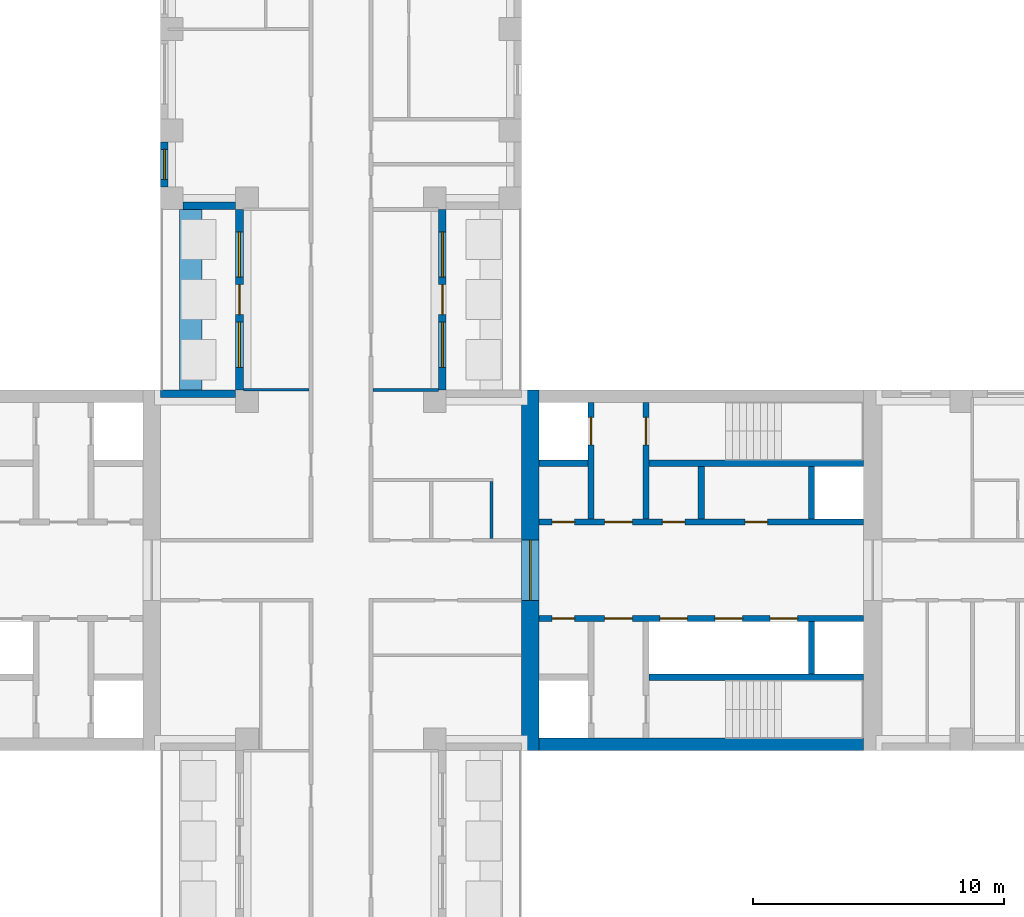
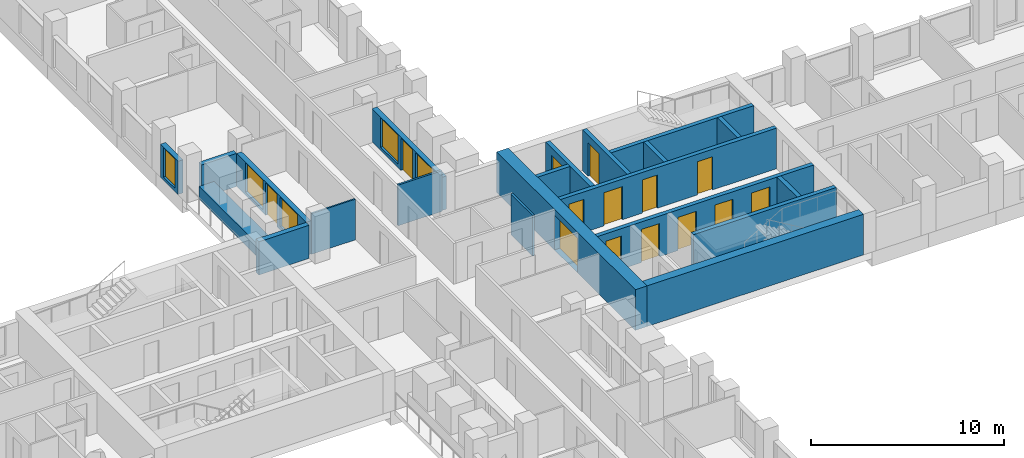
# One storey, part 8 of 15: 21 walls, 14 doors, 5 windows, 19 openings.
"""IFC4 building model written with IfcOpenShell, lengths in metres."""

from ifc_helpers import new_model, si_unit, direction, frame, frame_2d, origin, place, context, subcontext, project, spatial, rectangle, extrude, material, layer, layer_set, type_object, element, fill, save


model = new_model("IFC4")

# Units and contexts
model_context = context("Model", 3, precision=1e-05, world=origin(), true_north=direction((0.0, 1.0)))
body_context = subcontext(model_context, "Body", "Model", "MODEL_VIEW")
ifc_project = project(units=[si_unit("LENGTHUNIT", "METRE"), si_unit("AREAUNIT", "SQUARE_METRE"), si_unit("VOLUMEUNIT", "CUBIC_METRE"), si_unit("PLANEANGLEUNIT", "RADIAN"), si_unit("MASSUNIT", "GRAM", prefix="KILO")], contexts=[model_context])

# Site, building, storey
site_placement = place(None, origin())
site = spatial("IfcSite", under=ifc_project, at=site_placement, CompositionType="ELEMENT")
building_placement = place(site_placement, origin())
building = spatial("IfcBuilding", under=site, at=building_placement, Name="Fustian Cross Tower", CompositionType="ELEMENT")
storey_placement = place(building_placement, frame((0.0, 0.0, 47.699951171875)))
storey = spatial("IfcBuildingStorey", under=building, at=storey_placement, Name="L14", CompositionType="ELEMENT", Elevation=47.699951171875)

# Wall, opening, door
ifc_material_1 = material(Name="Concrete C80/95", Category="concrete")
ifc_layer_1 = layer(ifc_material_1, 0.699951171875)
ifc_layer_set_1 = layer_set([ifc_layer_1], Name="Concrete C80/95")
wall_type_1 = type_object("IfcWallType", Name="CORE END WALL 700 C80/95", PredefinedType="SHEAR", material=ifc_layer_set_1)
wall_1_placement = place(storey_placement, frame((7.550048828125, -7.199951171875, 0.0), z_axis=(0.0, 0.0, 1.0), x_axis=(0.0, 1.0, 0.0)))
wall_1 = element("IfcWall", 1, at=wall_1_placement, inside=storey, type_object=wall_type_1, Name="Core end wall", PredefinedType="SHEAR", context=body_context, shape_type="SweptSolid", body=[
    extrude(rectangle(XDim=14.39990234375, YDim=0.699951171875, at=frame_2d((7.199951171875, 0.0))), origin(), (0.0, 0.0, 1.0), 2.574951171875),
])
opening_1_placement = place(wall_1_placement, frame((6.0, 0.0, 0.0)))
opening_1 = element("IfcOpeningElement", 2, at=opening_1_placement, cuts=wall_1, Name="Opening CD-05-12", PredefinedType="OPENING", context=body_context, shape_type="SweptSolid", body=[
    extrude(rectangle(XDim=2.39990234375, YDim=2.199951171875, at=frame_2d((1.199951171875, 1.10009765625))), frame((0.0, 0.35986328125, 0.0), z_axis=(0.0, -1.0, 0.0), x_axis=(1.0, 0.0, 0.0)), (0.0, 0.0, 1.0), 0.719970703125),
])
ifc_material_2 = material(Name="Steel", Category="steel")
door_type_1 = type_object("IfcDoorType", Name="FIRE DOOR FD30S DOUBLE 2400X2200", OperationType="DOUBLE_DOOR_DOUBLE_SWING", PredefinedType="DOOR", material=ifc_material_2)
door_1_placement = place(opening_1_placement, frame((2.39990234375, 0.0, 0.0), z_axis=(0.0, 0.0, 1.0), x_axis=(-1.0, 0.0, 0.0)))
door_1 = element("IfcDoor", 3, at=door_1_placement, inside=storey, type_object=door_type_1, Name="Core door CD-05-12", OperationType="DOUBLE_DOOR_DOUBLE_SWING", OverallHeight=2.199951171875, OverallWidth=2.39990234375, PredefinedType="DOOR", context=body_context, shape_type="SweptSolid", body=[
    extrude(rectangle(XDim=2.39990234375, YDim=2.199951171875, at=frame_2d((1.199951171875, 1.10009765625))), frame((0.0, 0.02490234375, 0.0), z_axis=(0.0, -1.0, 0.0), x_axis=(1.0, 0.0, 0.0)), (0.0, 0.0, 1.0), 0.050048828125),
])
fill(opening_1, door_1)

# Wall
ifc_material_3 = material(Name="Concrete C80/95", Category="concrete")
ifc_layer_2 = layer(ifc_material_3, 0.5)
ifc_layer_set_2 = layer_set([ifc_layer_2], Name="Concrete C80/95")
wall_type_2 = type_object("IfcWallType", Name="CORE FACADE WALL 500 C80/95", PredefinedType="SHEAR", material=ifc_layer_set_2)
wall_2_placement = place(storey_placement, frame((7.89990234375, -6.949951171875, 0.0), z_axis=(0.0, 0.0, 1.0), x_axis=(1.0, 0.0, 0.0)))
element("IfcWall", 4, at=wall_2_placement, inside=storey, type_object=wall_type_2, Name="Core facade wall", PredefinedType="SHEAR", context=body_context, shape_type="SweptSolid", body=[
    extrude(rectangle(XDim=12.9501953125, YDim=0.5, at=frame_2d((6.47509765625, 0.0))), origin(), (0.0, 0.0, 1.0), 2.574951171875),
])

# Wall, openings, doors
ifc_material_4 = material(Name="Concrete C50/60", Category="concrete")
ifc_layer_3 = layer(ifc_material_4, 0.25)
ifc_layer_set_3 = layer_set([ifc_layer_3], Name="Concrete C50/60")
wall_type_3 = type_object("IfcWallType", Name="CORE LOBBY WALL 250 C50/60", PredefinedType="SHEAR", material=ifc_layer_set_3)
wall_3_placement = place(storey_placement, frame((7.89990234375, 1.925048828125, 0.0), z_axis=(0.0, 0.0, 1.0), x_axis=(1.0, 0.0, 0.0)))
wall_3 = element("IfcWall", 5, at=wall_3_placement, inside=storey, type_object=wall_type_3, Name="Core lobby wall", PredefinedType="SHEAR", context=body_context, shape_type="SweptSolid", body=[
    extrude(rectangle(XDim=12.9501953125, YDim=0.25, at=frame_2d((6.47509765625, 0.0))), origin(), (0.0, 0.0, 1.0), 2.574951171875),
])
opening_2_placement = place(wall_3_placement, frame((0.52490234375, 0.0, 0.0)))
opening_2 = element("IfcOpeningElement", 6, at=opening_2_placement, cuts=wall_3, Name="Opening CD-05-08", PredefinedType="OPENING", context=body_context, shape_type="SweptSolid", body=[
    extrude(rectangle(XDim=0.89990234375, YDim=2.10009765625, at=frame_2d((0.449951171875, 1.050048828125))), frame((0.0, 0.135009765625, 0.0), z_axis=(0.0, -1.0, 0.0), x_axis=(1.0, 0.0, 0.0)), (0.0, 0.0, 1.0), 0.27001953125),
])
opening_3_placement = place(wall_3_placement, frame((2.625, 0.0, 0.0)))
opening_3 = element("IfcOpeningElement", 7, at=opening_3_placement, cuts=wall_3, Name="Opening CD-05-10", PredefinedType="OPENING", context=body_context, shape_type="SweptSolid", body=[
    extrude(rectangle(XDim=1.10009765625, YDim=2.10009765625, at=frame_2d((0.550048828125, 1.050048828125))), frame((0.0, 0.135009765625, 0.0), z_axis=(0.0, -1.0, 0.0), x_axis=(1.0, 0.0, 0.0)), (0.0, 0.0, 1.0), 0.27001953125),
])
opening_4_placement = place(wall_3_placement, frame((4.925048828125, 0.0, 0.0)))
opening_4 = element("IfcOpeningElement", 8, at=opening_4_placement, cuts=wall_3, Name="Opening CD-05-14", PredefinedType="OPENING", context=body_context, shape_type="SweptSolid", body=[
    extrude(rectangle(XDim=0.89990234375, YDim=2.10009765625, at=frame_2d((0.449951171875, 1.050048828125))), frame((0.0, 0.135009765625, 0.0), z_axis=(0.0, -1.0, 0.0), x_axis=(1.0, 0.0, 0.0)), (0.0, 0.0, 1.0), 0.27001953125),
])
opening_5_placement = place(wall_3_placement, frame((8.22509765625, 0.0, 0.0)))
opening_5 = element("IfcOpeningElement", 9, at=opening_5_placement, cuts=wall_3, Name="Opening CD-05-15", PredefinedType="OPENING", context=body_context, shape_type="SweptSolid", body=[
    extrude(rectangle(XDim=0.89990234375, YDim=2.10009765625, at=frame_2d((0.449951171875, 1.050048828125))), frame((0.0, 0.135009765625, 0.0), z_axis=(0.0, -1.0, 0.0), x_axis=(1.0, 0.0, 0.0)), (0.0, 0.0, 1.0), 0.27001953125),
])
ifc_material_5 = material(Name="Steel", Category="steel")
door_type_2 = type_object("IfcDoorType", Name="FIRE DOOR FD30S 900X2100", OperationType="SINGLE_SWING_LEFT", PredefinedType="DOOR", material=ifc_material_5)
door_2_placement = place(opening_4_placement, origin())
door_2 = element("IfcDoor", 10, at=door_2_placement, inside=storey, type_object=door_type_2, Name="Core door CD-05-14", OperationType="SINGLE_SWING_LEFT", OverallHeight=2.10009765625, OverallWidth=0.89990234375, PredefinedType="DOOR", context=body_context, shape_type="SweptSolid", body=[
    extrude(rectangle(XDim=0.89990234375, YDim=2.10009765625, at=frame_2d((0.449951171875, 1.050048828125))), frame((0.0, 0.02490234375, 0.0), z_axis=(0.0, -1.0, 0.0), x_axis=(1.0, 0.0, 0.0)), (0.0, 0.0, 1.0), 0.050048828125),
])
fill(opening_4, door_2)
door_3_placement = place(opening_5_placement, origin())
door_3 = element("IfcDoor", 11, at=door_3_placement, inside=storey, type_object=door_type_2, Name="Core door CD-05-15", OperationType="SINGLE_SWING_RIGHT", OverallHeight=2.10009765625, OverallWidth=0.89990234375, PredefinedType="DOOR", context=body_context, shape_type="SweptSolid", body=[
    extrude(rectangle(XDim=0.89990234375, YDim=2.10009765625, at=frame_2d((0.449951171875, 1.050048828125))), frame((0.0, 0.02490234375, 0.0), z_axis=(0.0, -1.0, 0.0), x_axis=(1.0, 0.0, 0.0)), (0.0, 0.0, 1.0), 0.050048828125),
])
fill(opening_5, door_3)
ifc_material_6 = material(Name="Steel", Category="steel")
door_type_3 = type_object("IfcDoorType", Name="FIRE DOOR FD60S 1100X2100", OperationType="SINGLE_SWING_LEFT", PredefinedType="DOOR", material=ifc_material_6)
door_4_placement = place(opening_3_placement, frame((1.10009765625, 0.0, 0.0), z_axis=(0.0, 0.0, 1.0), x_axis=(-1.0, 0.0, 0.0)))
door_4 = element("IfcDoor", 12, at=door_4_placement, inside=storey, type_object=door_type_3, Name="Core door CD-05-10", OperationType="SINGLE_SWING_RIGHT", OverallHeight=2.10009765625, OverallWidth=1.10009765625, PredefinedType="DOOR", context=body_context, shape_type="SweptSolid", body=[
    extrude(rectangle(XDim=1.10009765625, YDim=2.10009765625, at=frame_2d((0.550048828125, 1.050048828125))), frame((0.0, 0.02490234375, 0.0), z_axis=(0.0, -1.0, 0.0), x_axis=(1.0, 0.0, 0.0)), (0.0, 0.0, 1.0), 0.050048828125),
])
fill(opening_3, door_4)
ifc_material_7 = material(Name="Steel", Category="steel")
door_type_4 = type_object("IfcDoorType", Name="FIRE DOOR FD60S 900X2100", OperationType="SINGLE_SWING_LEFT", PredefinedType="DOOR", material=ifc_material_7)
door_5_placement = place(opening_2_placement, origin())
door_5 = element("IfcDoor", 13, at=door_5_placement, inside=storey, type_object=door_type_4, Name="Core door CD-05-08", OperationType="SINGLE_SWING_LEFT", OverallHeight=2.10009765625, OverallWidth=0.89990234375, PredefinedType="DOOR", context=body_context, shape_type="SweptSolid", body=[
    extrude(rectangle(XDim=0.89990234375, YDim=2.10009765625, at=frame_2d((0.449951171875, 1.050048828125))), frame((0.0, 0.02490234375, 0.0), z_axis=(0.0, -1.0, 0.0), x_axis=(1.0, 0.0, 0.0)), (0.0, 0.0, 1.0), 0.050048828125),
])
fill(opening_2, door_5)

wall_4_placement = place(storey_placement, frame((7.89990234375, -1.925048828125, 0.0), z_axis=(0.0, 0.0, 1.0), x_axis=(1.0, 0.0, 0.0)))
wall_4 = element("IfcWall", 14, at=wall_4_placement, inside=storey, type_object=wall_type_3, Name="Core lobby wall", PredefinedType="SHEAR", context=body_context, shape_type="SweptSolid", body=[
    extrude(rectangle(XDim=12.9501953125, YDim=0.25, at=frame_2d((6.47509765625, 0.0))), origin(), (0.0, 0.0, 1.0), 2.574951171875),
])
opening_6_placement = place(wall_4_placement, frame((4.824951171875, 0.0, 0.0)))
opening_6 = element("IfcOpeningElement", 15, at=opening_6_placement, cuts=wall_4, Name="Opening LD", PredefinedType="OPENING", context=body_context, shape_type="SweptSolid", body=[
    extrude(rectangle(XDim=1.10009765625, YDim=2.10009765625, at=frame_2d((0.550048828125, 1.050048828125))), frame((0.0, 0.135009765625, 0.0), z_axis=(0.0, -1.0, 0.0), x_axis=(1.0, 0.0, 0.0)), (0.0, 0.0, 1.0), 0.27001953125),
])
opening_7_placement = place(wall_4_placement, frame((7.02490234375, 0.0, 0.0)))
opening_7 = element("IfcOpeningElement", 16, at=opening_7_placement, cuts=wall_4, Name="Opening LD", PredefinedType="OPENING", context=body_context, shape_type="SweptSolid", body=[
    extrude(rectangle(XDim=1.10009765625, YDim=2.10009765625, at=frame_2d((0.550048828125, 1.050048828125))), frame((0.0, 0.135009765625, 0.0), z_axis=(0.0, -1.0, 0.0), x_axis=(1.0, 0.0, 0.0)), (0.0, 0.0, 1.0), 0.27001953125),
])
opening_8_placement = place(wall_4_placement, frame((9.22509765625, 0.0, 0.0)))
opening_8 = element("IfcOpeningElement", 17, at=opening_8_placement, cuts=wall_4, Name="Opening LD", PredefinedType="OPENING", context=body_context, shape_type="SweptSolid", body=[
    extrude(rectangle(XDim=1.10009765625, YDim=2.10009765625, at=frame_2d((0.550048828125, 1.050048828125))), frame((0.0, 0.135009765625, 0.0), z_axis=(0.0, -1.0, 0.0), x_axis=(1.0, 0.0, 0.0)), (0.0, 0.0, 1.0), 0.27001953125),
])
opening_9_placement = place(wall_4_placement, frame((0.52490234375, 0.0, 0.0)))
opening_9 = element("IfcOpeningElement", 18, at=opening_9_placement, cuts=wall_4, Name="Opening CD-05-09", PredefinedType="OPENING", context=body_context, shape_type="SweptSolid", body=[
    extrude(rectangle(XDim=0.89990234375, YDim=2.10009765625, at=frame_2d((0.449951171875, 1.050048828125))), frame((0.0, 0.135009765625, 0.0), z_axis=(0.0, -1.0, 0.0), x_axis=(1.0, 0.0, 0.0)), (0.0, 0.0, 1.0), 0.27001953125),
])
opening_10_placement = place(wall_4_placement, frame((2.625, 0.0, 0.0)))
opening_10 = element("IfcOpeningElement", 19, at=opening_10_placement, cuts=wall_4, Name="Opening CD-05-11", PredefinedType="OPENING", context=body_context, shape_type="SweptSolid", body=[
    extrude(rectangle(XDim=1.10009765625, YDim=2.10009765625, at=frame_2d((0.550048828125, 1.050048828125))), frame((0.0, 0.135009765625, 0.0), z_axis=(0.0, -1.0, 0.0), x_axis=(1.0, 0.0, 0.0)), (0.0, 0.0, 1.0), 0.27001953125),
])
ifc_material_8 = material(Name="Steel", Category="steel")
door_type_5 = type_object("IfcDoorType", Name="FIRE DOOR FD30S 1100X2100", OperationType="SINGLE_SWING_LEFT", PredefinedType="DOOR", material=ifc_material_8)
door_6_placement = place(opening_10_placement, frame((1.10009765625, 0.0, 0.0), z_axis=(0.0, 0.0, 1.0), x_axis=(-1.0, 0.0, 0.0)))
door_6 = element("IfcDoor", 20, at=door_6_placement, inside=storey, type_object=door_type_5, Name="Core door CD-05-11", OperationType="SINGLE_SWING_RIGHT", OverallHeight=2.10009765625, OverallWidth=1.10009765625, PredefinedType="DOOR", context=body_context, shape_type="SweptSolid", body=[
    extrude(rectangle(XDim=1.10009765625, YDim=2.10009765625, at=frame_2d((0.550048828125, 1.050048828125))), frame((0.0, 0.02490234375, 0.0), z_axis=(0.0, -1.0, 0.0), x_axis=(1.0, 0.0, 0.0)), (0.0, 0.0, 1.0), 0.050048828125),
])
fill(opening_10, door_6)
door_7_placement = place(opening_9_placement, frame((0.89990234375, 0.0, 0.0), z_axis=(0.0, 0.0, 1.0), x_axis=(-1.0, 0.0, 0.0)))
door_7 = element("IfcDoor", 21, at=door_7_placement, inside=storey, type_object=door_type_2, Name="Core door CD-05-09", OperationType="SINGLE_SWING_RIGHT", OverallHeight=2.10009765625, OverallWidth=0.89990234375, PredefinedType="DOOR", context=body_context, shape_type="SweptSolid", body=[
    extrude(rectangle(XDim=0.89990234375, YDim=2.10009765625, at=frame_2d((0.449951171875, 1.050048828125))), frame((0.0, 0.02490234375, 0.0), z_axis=(0.0, -1.0, 0.0), x_axis=(1.0, 0.0, 0.0)), (0.0, 0.0, 1.0), 0.050048828125),
])
fill(opening_9, door_7)
ifc_material_9 = material(Name="Stainless steel", Category="steel")
door_type_6 = type_object("IfcDoorType", Name="LIFT LANDING DOOR 1100X2100", OperationType="SLIDING_TO_LEFT", PredefinedType="DOOR", material=ifc_material_9)
door_8_placement = place(opening_6_placement, origin())
door_8 = element("IfcDoor", 22, at=door_8_placement, inside=storey, type_object=door_type_6, Name="Landing door LR1", OperationType="SLIDING_TO_LEFT", OverallHeight=2.10009765625, OverallWidth=1.10009765625, PredefinedType="DOOR", context=body_context, shape_type="SweptSolid", body=[
    extrude(rectangle(XDim=1.10009765625, YDim=2.10009765625, at=frame_2d((0.550048828125, 1.050048828125))), frame((0.0, 0.02490234375, 0.0), z_axis=(0.0, -1.0, 0.0), x_axis=(1.0, 0.0, 0.0)), (0.0, 0.0, 1.0), 0.050048828125),
])
fill(opening_6, door_8)
door_9_placement = place(opening_7_placement, origin())
door_9 = element("IfcDoor", 23, at=door_9_placement, inside=storey, type_object=door_type_6, Name="Landing door LR2", OperationType="SLIDING_TO_LEFT", OverallHeight=2.10009765625, OverallWidth=1.10009765625, PredefinedType="DOOR", context=body_context, shape_type="SweptSolid", body=[
    extrude(rectangle(XDim=1.10009765625, YDim=2.10009765625, at=frame_2d((0.550048828125, 1.050048828125))), frame((0.0, 0.02490234375, 0.0), z_axis=(0.0, -1.0, 0.0), x_axis=(1.0, 0.0, 0.0)), (0.0, 0.0, 1.0), 0.050048828125),
])
fill(opening_7, door_9)
door_10_placement = place(opening_8_placement, origin())
door_10 = element("IfcDoor", 24, at=door_10_placement, inside=storey, type_object=door_type_6, Name="Landing door LR3", OperationType="SLIDING_TO_LEFT", OverallHeight=2.10009765625, OverallWidth=1.10009765625, PredefinedType="DOOR", context=body_context, shape_type="SweptSolid", body=[
    extrude(rectangle(XDim=1.10009765625, YDim=2.10009765625, at=frame_2d((0.550048828125, 1.050048828125))), frame((0.0, 0.02490234375, 0.0), z_axis=(0.0, -1.0, 0.0), x_axis=(1.0, 0.0, 0.0)), (0.0, 0.0, 1.0), 0.050048828125),
])
fill(opening_8, door_10)

# Walls
ifc_material_10 = material(Name="Concrete C50/60", Category="concrete")
ifc_layer_4 = layer(ifc_material_10, 0.25)
ifc_layer_set_4 = layer_set([ifc_layer_4], Name="Concrete C50/60")
wall_type_4 = type_object("IfcWallType", Name="CORE SHAFT WALL 250 C50/60", PredefinedType="SHEAR", material=ifc_layer_set_4)
wall_5_placement = place(storey_placement, frame((7.89990234375, 4.27490234375, 0.0), z_axis=(0.0, 0.0, 1.0), x_axis=(1.0, 0.0, 0.0)))
element("IfcWall", 25, at=wall_5_placement, inside=storey, type_object=wall_type_4, Name="Core shaft wall", PredefinedType="SHEAR", context=body_context, shape_type="SweptSolid", body=[
    extrude(rectangle(XDim=1.9501953125, YDim=0.25, at=frame_2d((0.97509765625, 0.0))), origin(), (0.0, 0.0, 1.0), 2.574951171875),
])
wall_6_placement = place(storey_placement, frame((12.300048828125, 4.27490234375, 0.0), z_axis=(0.0, 0.0, 1.0), x_axis=(1.0, 0.0, 0.0)))
element("IfcWall", 26, at=wall_6_placement, inside=storey, type_object=wall_type_4, Name="Core shaft wall", PredefinedType="SHEAR", context=body_context, shape_type="SweptSolid", body=[
    extrude(rectangle(XDim=8.550048828125, YDim=0.25, at=frame_2d((4.27490234375, 0.0))), origin(), (0.0, 0.0, 1.0), 2.574951171875),
])

# Wall, opening, door
wall_7_placement = place(storey_placement, frame((9.97509765625, 2.050048828125, 0.0), z_axis=(0.0, 0.0, 1.0), x_axis=(0.0, 1.0, 0.0)))
wall_7 = element("IfcWall", 27, at=wall_7_placement, inside=storey, type_object=wall_type_4, Name="Core shaft wall", PredefinedType="SHEAR", context=body_context, shape_type="SweptSolid", body=[
    extrude(rectangle(XDim=4.64990234375, YDim=0.25, at=frame_2d((2.324951171875, 0.0))), origin(), (0.0, 0.0, 1.0), 2.574951171875),
])
opening_11_placement = place(wall_7_placement, frame((2.949951171875, 0.0, 0.0)))
opening_11 = element("IfcOpeningElement", 28, at=opening_11_placement, cuts=wall_7, Name="Opening LD", PredefinedType="OPENING", context=body_context, shape_type="SweptSolid", body=[
    extrude(rectangle(XDim=1.10009765625, YDim=2.10009765625, at=frame_2d((0.550048828125, 1.050048828125))), frame((0.0, 0.135009765625, 0.0), z_axis=(0.0, -1.0, 0.0), x_axis=(1.0, 0.0, 0.0)), (0.0, 0.0, 1.0), 0.27001953125),
])
door_11_placement = place(opening_11_placement, origin())
door_11 = element("IfcDoor", 29, at=door_11_placement, inside=storey, type_object=door_type_6, Name="Landing door FL1", OperationType="SLIDING_TO_LEFT", OverallHeight=2.10009765625, OverallWidth=1.10009765625, PredefinedType="DOOR", context=body_context, shape_type="SweptSolid", body=[
    extrude(rectangle(XDim=1.10009765625, YDim=2.10009765625, at=frame_2d((0.550048828125, 1.050048828125))), frame((0.0, 0.02490234375, 0.0), z_axis=(0.0, -1.0, 0.0), x_axis=(1.0, 0.0, 0.0)), (0.0, 0.0, 1.0), 0.050048828125),
])
fill(opening_11, door_11)

wall_8_placement = place(storey_placement, frame((12.175048828125, 2.050048828125, 0.0), z_axis=(0.0, 0.0, 1.0), x_axis=(0.0, 1.0, 0.0)))
wall_8 = element("IfcWall", 30, at=wall_8_placement, inside=storey, type_object=wall_type_4, Name="Core shaft wall", PredefinedType="SHEAR", context=body_context, shape_type="SweptSolid", body=[
    extrude(rectangle(XDim=4.64990234375, YDim=0.25, at=frame_2d((2.324951171875, 0.0))), origin(), (0.0, 0.0, 1.0), 2.574951171875),
])
opening_12_placement = place(wall_8_placement, frame((2.949951171875, 0.0, 0.0)))
opening_12 = element("IfcOpeningElement", 31, at=opening_12_placement, cuts=wall_8, Name="Opening CD-05-06", PredefinedType="OPENING", context=body_context, shape_type="SweptSolid", body=[
    extrude(rectangle(XDim=1.10009765625, YDim=2.10009765625, at=frame_2d((0.550048828125, 1.050048828125))), frame((0.0, 0.135009765625, 0.0), z_axis=(0.0, -1.0, 0.0), x_axis=(1.0, 0.0, 0.0)), (0.0, 0.0, 1.0), 0.27001953125),
])
door_12_placement = place(opening_12_placement, frame((1.10009765625, 0.0, 0.0), z_axis=(0.0, 0.0, 1.0), x_axis=(-1.0, 0.0, 0.0)))
door_12 = element("IfcDoor", 32, at=door_12_placement, inside=storey, type_object=door_type_3, Name="Core door CD-05-06", OperationType="SINGLE_SWING_RIGHT", OverallHeight=2.10009765625, OverallWidth=1.10009765625, PredefinedType="DOOR", context=body_context, shape_type="SweptSolid", body=[
    extrude(rectangle(XDim=1.10009765625, YDim=2.10009765625, at=frame_2d((0.550048828125, 1.050048828125))), frame((0.0, 0.02490234375, 0.0), z_axis=(0.0, -1.0, 0.0), x_axis=(1.0, 0.0, 0.0)), (0.0, 0.0, 1.0), 0.050048828125),
])
fill(opening_12, door_12)

# Walls
wall_9_placement = place(storey_placement, frame((12.300048828125, -4.27490234375, 0.0), z_axis=(0.0, 0.0, 1.0), x_axis=(1.0, 0.0, 0.0)))
element("IfcWall", 33, at=wall_9_placement, inside=storey, type_object=wall_type_4, Name="Core shaft wall", PredefinedType="SHEAR", context=body_context, shape_type="SweptSolid", body=[
    extrude(rectangle(XDim=8.550048828125, YDim=0.25, at=frame_2d((4.27490234375, 0.0))), origin(), (0.0, 0.0, 1.0), 2.574951171875),
])
ifc_material_11 = material(Name="Plasterboard on steel stud", Category="steel")
ifc_layer_5 = layer(ifc_material_11, 0.10009765625)
ifc_layer_set_5 = layer_set([ifc_layer_5], Name="Plasterboard on steel stud")
wall_type_5 = type_object("IfcWallType", Name="PARTITION 100 STUD", PredefinedType="PARTITIONING", material=ifc_layer_set_5)
wall_10_placement = place(storey_placement, frame((-3.89990234375, 7.199951171875, 0.0), z_axis=(0.0, 0.0, 1.0), x_axis=(1.0, 0.0, 0.0)))
element("IfcWall", 34, at=wall_10_placement, inside=storey, type_object=wall_type_5, Name="Partition 32", PredefinedType="PARTITIONING", context=body_context, shape_type="SweptSolid", body=[
    extrude(rectangle(XDim=2.625, YDim=0.10009765625, at=frame_2d((1.3125, 0.0))), origin(), (0.0, 0.0, 1.0), 2.574951171875),
])
ifc_material_12 = material(Name="Concrete C40/50", Category="concrete")
ifc_layer_6 = layer(ifc_material_12, 0.89990234375)
ifc_layer_set_6 = layer_set([ifc_layer_6], Name="Concrete C40/50")
wall_type_6 = type_object("IfcWallType", Name="PK1 PLANTER 900", PredefinedType="PARAPET", material=ifc_layer_set_6)
wall_11_placement = place(storey_placement, frame((-6.0, 7.199951171875, 0.0), z_axis=(0.0, 0.0, 1.0), x_axis=(0.0, 1.0, 0.0)))
element("IfcWall", 35, at=wall_11_placement, inside=storey, type_object=wall_type_6, Name="PLANTER", PredefinedType="PARAPET", context=body_context, shape_type="SweptSolid", body=[
    extrude(rectangle(XDim=7.199951171875, YDim=0.89990234375, at=frame_2d((3.60009765625, 0.0))), origin(), (0.0, 0.0, 1.0), 0.800048828125),
])
ifc_material_13 = material(Name="Concrete C40/50", Category="concrete")
ifc_layer_7 = layer(ifc_material_13, 0.25)
ifc_layer_set_7 = layer_set([ifc_layer_7], Name="Concrete C40/50")
wall_type_7 = type_object("IfcWallType", Name="SHAFT PARTITION WALL 250 C40/50", PredefinedType="PARTITIONING", material=ifc_layer_set_7)
for number, where, z_axis, x_axis, name in (
    (36, (14.375, 2.050048828125, 0.0), (0.0, 0.0, 1.0), (0.0, 1.0, 0.0), "Core shaft wall"),
    (37, (18.77490234375, 2.050048828125, 0.0), (0.0, 0.0, 1.0), (0.0, 1.0, 0.0), "Core shaft wall"),
    (38, (18.77490234375, -2.050048828125, 0.0), (0.0, 0.0, 1.0), (0.0, -1.0, 0.0), "Core shaft wall"),
):
    element("IfcWall", number, at=place(storey_placement, frame(where, z_axis=z_axis, x_axis=x_axis)), inside=storey, type_object=wall_type_7, Name=name, PredefinedType="PARTITIONING", context=body_context, shape_type="SweptSolid", body=[
        extrude(rectangle(XDim=2.099853515625, YDim=0.25, at=frame_2d((1.0498046875, 0.0))), origin(), (0.0, 0.0, 1.0), 2.574951171875),
    ])
ifc_material_14 = material(Name="Plasterboard on steel stud", Category="steel")
ifc_layer_8 = layer(ifc_material_14, 0.125)
ifc_layer_set_8 = layer_set([ifc_layer_8], Name="Plasterboard on steel stud")
wall_type_8 = type_object("IfcWallType", Name="WET WALL 125 STUD", PredefinedType="PARTITIONING", material=ifc_layer_set_8)
wall_12_placement = place(storey_placement, frame((1.27490234375, 7.199951171875, 0.0), z_axis=(0.0, 0.0, 1.0), x_axis=(1.0, 0.0, 0.0)))
element("IfcWall", 39, at=wall_12_placement, inside=storey, type_object=wall_type_8, Name="Partition 54", PredefinedType="PARTITIONING", context=body_context, shape_type="SweptSolid", body=[
    extrude(rectangle(XDim=2.625, YDim=0.125, at=frame_2d((1.3125, 0.0))), origin(), (0.0, 0.0, 1.0), 2.574951171875),
])
wall_13_placement = place(storey_placement, frame((6.0, 1.27490234375, 0.0), z_axis=(0.0, 0.0, 1.0), x_axis=(0.0, 1.0, 0.0)))
element("IfcWall", 40, at=wall_13_placement, inside=storey, type_object=wall_type_8, Name="Partition 76", PredefinedType="PARTITIONING", context=body_context, shape_type="SweptSolid", body=[
    extrude(rectangle(XDim=2.2626953125, YDim=0.125, at=frame_2d((1.13134765625, 0.0))), origin(), (0.0, 0.0, 1.0), 2.574951171875),
])

# Wall, openings, door, windows
ifc_material_15 = material(Name="Dark aluminium cladding on insulated backing wall", Category="aluminium")
ifc_layer_9 = layer(ifc_material_15, 0.300048828125)
ifc_layer_set_9 = layer_set([ifc_layer_9], Name="Dark aluminium cladding on insulated backing wall")
wall_type_9 = type_object("IfcWallType", Name="XW1 EXTERNAL WALL 300", PredefinedType="SOLIDWALL", material=ifc_layer_set_9)
wall_14_placement = place(storey_placement, frame((4.050048828125, 7.199951171875, 0.0), z_axis=(0.0, 0.0, 1.0), x_axis=(0.0, 1.0, 0.0)))
wall_14 = element("IfcWall", 41, at=wall_14_placement, inside=storey, type_object=wall_type_9, Name="External wall", PredefinedType="SOLIDWALL", context=body_context, shape_type="SweptSolid", body=[
    extrude(rectangle(XDim=7.199951171875, YDim=0.300048828125, at=frame_2d((3.60009765625, 0.0))), origin(), (0.0, 0.0, 1.0), 2.10009765625),
])
opening_13_placement = place(wall_14_placement, frame((3.0, 0.0, 0.0)))
opening_13 = element("IfcOpeningElement", 42, at=opening_13_placement, cuts=wall_14, Name="Opening XD1", PredefinedType="OPENING", context=body_context, shape_type="SweptSolid", body=[
    extrude(rectangle(XDim=1.199951171875, YDim=2.050048828125, at=frame_2d((0.60009765625, 1.02490234375))), frame((0.0, 0.159912109375, 0.0), z_axis=(0.0, -1.0, 0.0), x_axis=(1.0, 0.0, 0.0)), (0.0, 0.0, 1.0), 0.320068359375),
])
opening_14_placement = place(wall_14_placement, frame((0.89990234375, 0.0, 0.199951171875)))
opening_14 = element("IfcOpeningElement", 43, at=opening_14_placement, cuts=wall_14, Name="Opening WN2", PredefinedType="OPENING", context=body_context, shape_type="SweptSolid", body=[
    extrude(rectangle(XDim=1.800048828125, YDim=1.85009765625, at=frame_2d((0.89990234375, 0.925048828125))), frame((0.0, 0.159912109375, 0.0), z_axis=(0.0, -1.0, 0.0), x_axis=(1.0, 0.0, 0.0)), (0.0, 0.0, 1.0), 0.320068359375),
])
opening_15_placement = place(wall_14_placement, frame((4.5, 0.0, 0.199951171875)))
opening_15 = element("IfcOpeningElement", 44, at=opening_15_placement, cuts=wall_14, Name="Opening WN2", PredefinedType="OPENING", context=body_context, shape_type="SweptSolid", body=[
    extrude(rectangle(XDim=1.800048828125, YDim=1.85009765625, at=frame_2d((0.89990234375, 0.925048828125))), frame((0.0, 0.159912109375, 0.0), z_axis=(0.0, -1.0, 0.0), x_axis=(1.0, 0.0, 0.0)), (0.0, 0.0, 1.0), 0.320068359375),
])
ifc_material_16 = material(Name="Dark anodised aluminium and double glazing", Category="aluminium")
door_type_7 = type_object("IfcDoorType", Name="ED1 BALCONY DOOR 1200X2050", OperationType="SINGLE_SWING_LEFT", PredefinedType="DOOR", material=ifc_material_16)
door_13_placement = place(opening_13_placement, origin())
door_13 = element("IfcDoor", 45, at=door_13_placement, inside=storey, type_object=door_type_7, Name="Balcony door", OperationType="SINGLE_SWING_LEFT", OverallHeight=2.050048828125, OverallWidth=1.199951171875, PredefinedType="DOOR", context=body_context, shape_type="SweptSolid", body=[
    extrude(rectangle(XDim=1.199951171875, YDim=2.050048828125, at=frame_2d((0.60009765625, 1.02490234375))), frame((0.0, 0.02490234375, 0.0), z_axis=(0.0, -1.0, 0.0), x_axis=(1.0, 0.0, 0.0)), (0.0, 0.0, 1.0), 0.050048828125),
])
fill(opening_13, door_13)
ifc_material_17 = material(Name="Dark anodised aluminium and double glazing", Category="aluminium")
window_type_1 = type_object("IfcWindowType", Name="WN2 WINDOW 1800X1850", PartitioningType="SINGLE_PANEL", PredefinedType="WINDOW", material=ifc_material_17)
window_1_placement = place(opening_14_placement, origin())
window_1 = element("IfcWindow", 46, at=window_1_placement, inside=storey, type_object=window_type_1, Name="Window", OverallHeight=1.85009765625, OverallWidth=1.800048828125, PartitioningType="SINGLE_PANEL", PredefinedType="WINDOW", context=body_context, shape_type="SweptSolid", body=[
    extrude(rectangle(XDim=1.800048828125, YDim=1.85009765625, at=frame_2d((0.89990234375, 0.925048828125))), frame((0.0, 0.030029296875, 0.0), z_axis=(0.0, -1.0, 0.0), x_axis=(1.0, 0.0, 0.0)), (0.0, 0.0, 1.0), 0.06005859375),
])
fill(opening_14, window_1)
window_2_placement = place(opening_15_placement, origin())
window_2 = element("IfcWindow", 47, at=window_2_placement, inside=storey, type_object=window_type_1, Name="Window", OverallHeight=1.85009765625, OverallWidth=1.800048828125, PartitioningType="SINGLE_PANEL", PredefinedType="WINDOW", context=body_context, shape_type="SweptSolid", body=[
    extrude(rectangle(XDim=1.800048828125, YDim=1.85009765625, at=frame_2d((0.89990234375, 0.925048828125))), frame((0.0, 0.030029296875, 0.0), z_axis=(0.0, -1.0, 0.0), x_axis=(1.0, 0.0, 0.0)), (0.0, 0.0, 1.0), 0.06005859375),
])
fill(opening_15, window_2)

# Wall, opening, window
wall_15_placement = place(storey_placement, frame((-7.050048828125, 17.10009765625, 0.0), z_axis=(0.0, 0.0, 1.0), x_axis=(0.0, -1.0, 0.0)))
wall_15 = element("IfcWall", 48, at=wall_15_placement, inside=storey, type_object=wall_type_9, Name="External wall", PredefinedType="SOLIDWALL", context=body_context, shape_type="SweptSolid", body=[
    extrude(rectangle(XDim=1.800048828125, YDim=0.300048828125, at=frame_2d((0.89990234375, 0.0))), origin(), (0.0, 0.0, 1.0), 2.10009765625),
])
opening_16_placement = place(wall_15_placement, frame((0.300048828125, 0.0, 0.199951171875)))
opening_16 = element("IfcOpeningElement", 49, at=opening_16_placement, cuts=wall_15, Name="Opening WN3", PredefinedType="OPENING", context=body_context, shape_type="SweptSolid", body=[
    extrude(rectangle(XDim=1.199951171875, YDim=1.85009765625, at=frame_2d((0.60009765625, 0.925048828125))), frame((0.0, 0.159912109375, 0.0), z_axis=(0.0, -1.0, 0.0), x_axis=(1.0, 0.0, 0.0)), (0.0, 0.0, 1.0), 0.320068359375),
])
ifc_material_18 = material(Name="Dark anodised aluminium and double glazing", Category="aluminium")
window_type_2 = type_object("IfcWindowType", Name="WN3 WINDOW 1200X1850", PartitioningType="SINGLE_PANEL", PredefinedType="WINDOW", material=ifc_material_18)
window_3_placement = place(opening_16_placement, origin())
window_3 = element("IfcWindow", 50, at=window_3_placement, inside=storey, type_object=window_type_2, Name="Window", OverallHeight=1.85009765625, OverallWidth=1.199951171875, PartitioningType="SINGLE_PANEL", PredefinedType="WINDOW", context=body_context, shape_type="SweptSolid", body=[
    extrude(rectangle(XDim=1.199951171875, YDim=1.85009765625, at=frame_2d((0.60009765625, 0.925048828125))), frame((0.0, 0.030029296875, 0.0), z_axis=(0.0, -1.0, 0.0), x_axis=(1.0, 0.0, 0.0)), (0.0, 0.0, 1.0), 0.06005859375),
])
fill(opening_16, window_3)

# Wall
wall_16_placement = place(storey_placement, frame((-6.300048828125, 14.550048828125, 0.0), z_axis=(0.0, 0.0, 1.0), x_axis=(1.0, 0.0, 0.0)))
element("IfcWall", 51, at=wall_16_placement, inside=storey, type_object=wall_type_9, Name="External wall", PredefinedType="SOLIDWALL", context=body_context, shape_type="SweptSolid", body=[
    extrude(rectangle(XDim=2.10009765625, YDim=0.300048828125, at=frame_2d((1.050048828125, 0.0))), origin(), (0.0, 0.0, 1.0), 2.10009765625),
])

# Wall, openings, door, windows
wall_17_placement = place(storey_placement, frame((-4.050048828125, 14.39990234375, 0.0), z_axis=(0.0, 0.0, 1.0), x_axis=(0.0, -1.0, 0.0)))
wall_17 = element("IfcWall", 52, at=wall_17_placement, inside=storey, type_object=wall_type_9, Name="External wall", PredefinedType="SOLIDWALL", context=body_context, shape_type="SweptSolid", body=[
    extrude(rectangle(XDim=7.199951171875, YDim=0.300048828125, at=frame_2d((3.60009765625, 0.0))), origin(), (0.0, 0.0, 1.0), 2.10009765625),
])
opening_17_placement = place(wall_17_placement, frame((3.0, 0.0, 0.0)))
opening_17 = element("IfcOpeningElement", 53, at=opening_17_placement, cuts=wall_17, Name="Opening XD2", PredefinedType="OPENING", context=body_context, shape_type="SweptSolid", body=[
    extrude(rectangle(XDim=1.199951171875, YDim=2.050048828125, at=frame_2d((0.60009765625, 1.02490234375))), frame((0.0, 0.159912109375, 0.0), z_axis=(0.0, -1.0, 0.0), x_axis=(1.0, 0.0, 0.0)), (0.0, 0.0, 1.0), 0.320068359375),
])
opening_18_placement = place(wall_17_placement, frame((0.89990234375, 0.0, 0.199951171875)))
opening_18 = element("IfcOpeningElement", 54, at=opening_18_placement, cuts=wall_17, Name="Opening WN2", PredefinedType="OPENING", context=body_context, shape_type="SweptSolid", body=[
    extrude(rectangle(XDim=1.800048828125, YDim=1.85009765625, at=frame_2d((0.89990234375, 0.925048828125))), frame((0.0, 0.159912109375, 0.0), z_axis=(0.0, -1.0, 0.0), x_axis=(1.0, 0.0, 0.0)), (0.0, 0.0, 1.0), 0.320068359375),
])
opening_19_placement = place(wall_17_placement, frame((4.5, 0.0, 0.199951171875)))
opening_19 = element("IfcOpeningElement", 55, at=opening_19_placement, cuts=wall_17, Name="Opening WN2", PredefinedType="OPENING", context=body_context, shape_type="SweptSolid", body=[
    extrude(rectangle(XDim=1.800048828125, YDim=1.85009765625, at=frame_2d((0.89990234375, 0.925048828125))), frame((0.0, 0.159912109375, 0.0), z_axis=(0.0, -1.0, 0.0), x_axis=(1.0, 0.0, 0.0)), (0.0, 0.0, 1.0), 0.320068359375),
])
door_14_placement = place(opening_17_placement, origin())
door_14 = element("IfcDoor", 56, at=door_14_placement, inside=storey, type_object=door_type_7, Name="Balcony door", OperationType="SINGLE_SWING_LEFT", OverallHeight=2.050048828125, OverallWidth=1.199951171875, PredefinedType="DOOR", context=body_context, shape_type="SweptSolid", body=[
    extrude(rectangle(XDim=1.199951171875, YDim=2.050048828125, at=frame_2d((0.60009765625, 1.02490234375))), frame((0.0, 0.02490234375, 0.0), z_axis=(0.0, -1.0, 0.0), x_axis=(1.0, 0.0, 0.0)), (0.0, 0.0, 1.0), 0.050048828125),
])
fill(opening_17, door_14)
window_4_placement = place(opening_18_placement, origin())
window_4 = element("IfcWindow", 57, at=window_4_placement, inside=storey, type_object=window_type_1, Name="Window", OverallHeight=1.85009765625, OverallWidth=1.800048828125, PartitioningType="SINGLE_PANEL", PredefinedType="WINDOW", context=body_context, shape_type="SweptSolid", body=[
    extrude(rectangle(XDim=1.800048828125, YDim=1.85009765625, at=frame_2d((0.89990234375, 0.925048828125))), frame((0.0, 0.030029296875, 0.0), z_axis=(0.0, -1.0, 0.0), x_axis=(1.0, 0.0, 0.0)), (0.0, 0.0, 1.0), 0.06005859375),
])
fill(opening_18, window_4)
window_5_placement = place(opening_19_placement, origin())
window_5 = element("IfcWindow", 58, at=window_5_placement, inside=storey, type_object=window_type_1, Name="Window", OverallHeight=1.85009765625, OverallWidth=1.800048828125, PartitioningType="SINGLE_PANEL", PredefinedType="WINDOW", context=body_context, shape_type="SweptSolid", body=[
    extrude(rectangle(XDim=1.800048828125, YDim=1.85009765625, at=frame_2d((0.89990234375, 0.925048828125))), frame((0.0, 0.030029296875, 0.0), z_axis=(0.0, -1.0, 0.0), x_axis=(1.0, 0.0, 0.0)), (0.0, 0.0, 1.0), 0.06005859375),
])
fill(opening_19, window_5)

# Wall
wall_18_placement = place(storey_placement, frame((-4.199951171875, 7.050048828125, 0.0), z_axis=(0.0, 0.0, 1.0), x_axis=(-1.0, 0.0, 0.0)))
element("IfcWall", 59, at=wall_18_placement, inside=storey, type_object=wall_type_9, Name="External wall", PredefinedType="SOLIDWALL", context=body_context, shape_type="SweptSolid", body=[
    extrude(rectangle(XDim=3.0, YDim=0.300048828125, at=frame_2d((1.5, 0.0))), origin(), (0.0, 0.0, 1.0), 2.10009765625),
])

save(model, "model.ifc")
